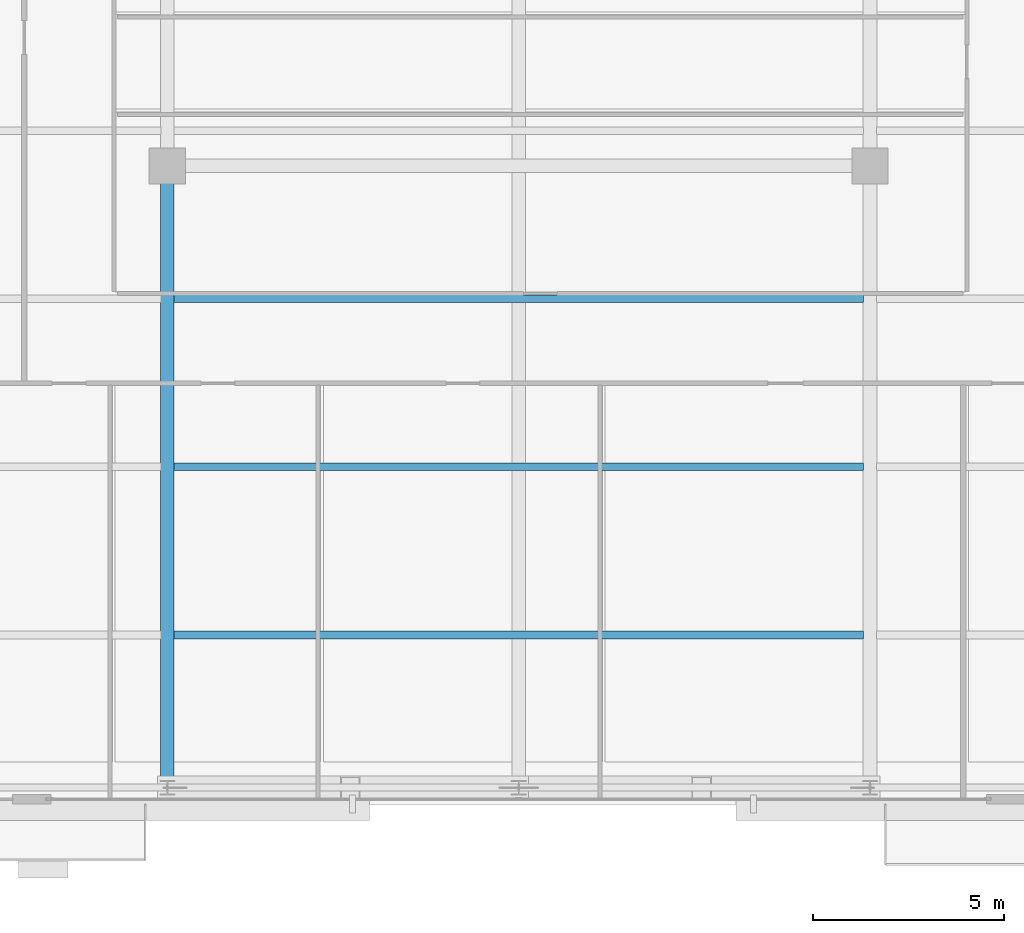
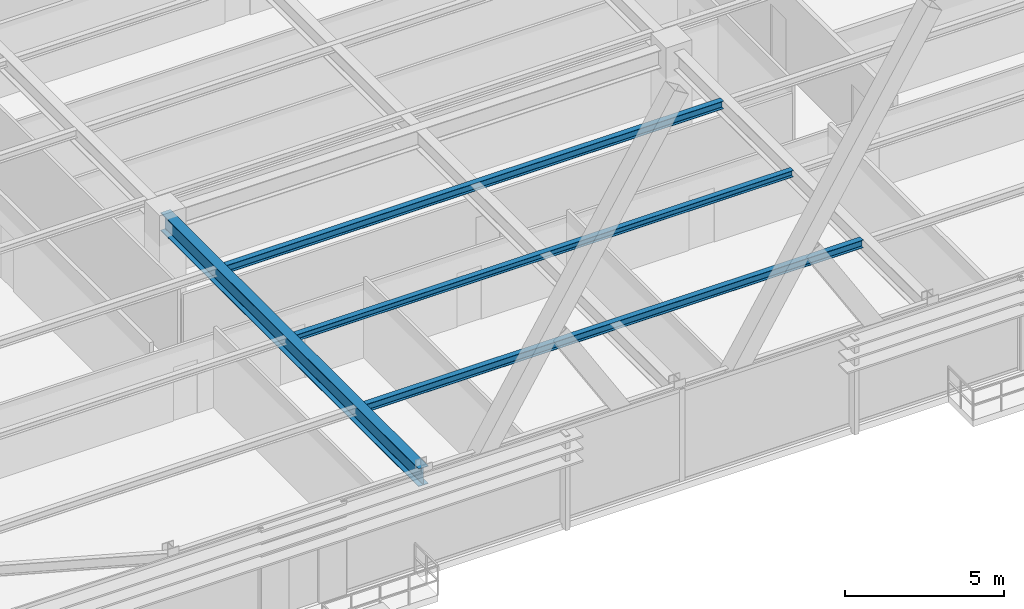
# One storey, part 8 of 37: 4 beams.
"""IFC4 building model written with IfcOpenShell, lengths in metres."""

from ifc_helpers import new_model, si_unit, direction, frame, origin, origin_2d, place, context, subcontext, project, spatial, i_section, extrude, source, transform, mapped, material, material_profile, profile_set, type_object, type_shapes, element, save


model = new_model("IFC4")

# Units and contexts
model_context = context("Model", 3, precision=1e-05, world=origin(), true_north=direction((0.0, 1.0)))
body_context = subcontext(model_context, "Body", "Model", "MODEL_VIEW")
ifc_project = project(units=[si_unit("LENGTHUNIT", "METRE"), si_unit("AREAUNIT", "SQUARE_METRE"), si_unit("VOLUMEUNIT", "CUBIC_METRE"), si_unit("PLANEANGLEUNIT", "RADIAN"), si_unit("MASSUNIT", "GRAM", prefix="KILO")], contexts=[model_context])

# Site, building, storey
site_placement = place(None, origin())
site = spatial("IfcSite", under=ifc_project, at=site_placement, CompositionType="ELEMENT")
building_placement = place(site_placement, origin())
building = spatial("IfcBuilding", under=site, at=building_placement, Name="Varnel Quay Broadcast Tower", CompositionType="ELEMENT")
storey_placement = place(building_placement, frame((0.0, 0.0, 103.0)))
storey = spatial("IfcBuildingStorey", under=building, at=storey_placement, Name="L24", CompositionType="ELEMENT", Elevation=103.0)

# Beams
ifc_material = material(Name="Structural Steel CSA G40.21 350W", Category="steel")
ifc_material_profile_1 = material_profile(ifc_material, i_section(OverallWidth=0.35498046875, OverallDepth=0.695068359375, WebThickness=0.015380859375, FlangeThickness=0.02490234375, FilletRadius=0.01806640625, at=origin_2d()), Name="W690X217")
ifc_profile_set_1 = profile_set([ifc_material_profile_1], Name="Structural Steel CSA G40.21 350W")
beam_type_1 = type_object("IfcBeamType", Name="Girder_W690X217", PredefinedType="BEAM", material=ifc_profile_set_1)
shared_shape_1 = source(origin(), body_context, "Body", "SweptSolid", [
    extrude(i_section(OverallWidth=0.35498046875, OverallDepth=0.695068359375, WebThickness=0.015380859375, FlangeThickness=0.02490234375, FilletRadius=0.01806640625, at=origin_2d()), origin(), (0.0, 0.0, 1.0), 16.239990234375),
])
type_shapes(beam_type_1, [shared_shape_1])
beam_1_placement = place(storey_placement, frame((24.800048828125, 4.669921875, 3.202392578125), z_axis=(0.0, 1.0, 0.0), x_axis=(-1.0, 0.0, 0.0)))
element("IfcBeam", 1, at=beam_1_placement, inside=storey, type_object=beam_type_1, Name="L24 Primary Girder TC-S2-IC-01", PredefinedType="BEAM", context=body_context, shape_type="MappedRepresentation", body=[
    mapped(shared_shape_1, transform((0.0, 0.0, 0.0), x_axis=(1.0, 0.0, 0.0), y_axis=(0.0, 1.0, 0.0), z_axis=(0.0, 0.0, 1.0), scale=1.0)),
])
ifc_material_profile_2 = material_profile(ifc_material, i_section(OverallWidth=0.202880859375, OverallDepth=0.302978515625, WebThickness=0.007568359375, FlangeThickness=0.01318359375, FilletRadius=0.011962890625, at=origin_2d()), Name="W310X60")
ifc_profile_set_2 = profile_set([ifc_material_profile_2], Name="Structural Steel CSA G40.21 350W")
beam_type_2 = type_object("IfcBeamType", Name="Beam_W310X60", PredefinedType="JOIST", material=ifc_profile_set_2)
shared_shape_2 = source(origin(), body_context, "Body", "SweptSolid", [
    extrude(i_section(OverallWidth=0.202880859375, OverallDepth=0.302978515625, WebThickness=0.007568359375, FlangeThickness=0.01318359375, FilletRadius=0.011962890625, at=origin_2d()), origin(), (0.0, 0.0, 1.0), 18.05517578125),
])
type_shapes(beam_type_2, [shared_shape_2])
for number, where, z_axis, x_axis, name in (
    (2, (24.972412109375, 8.64990234375, 3.3984375), (1.0, 0.0, 0.0), (0.0, 1.0, 0.0), "L24 Central Floor Joist 1"),
    (3, (24.972412109375, 17.449951171875, 3.3984375), (1.0, 0.0, 0.0), (0.0, 1.0, 0.0), "L24 Central Floor Joist 3"),
):
    element("IfcBeam", number, at=place(storey_placement, frame(where, z_axis=z_axis, x_axis=x_axis)), inside=storey, type_object=beam_type_2, Name=name, PredefinedType="JOIST", context=body_context, shape_type="MappedRepresentation", body=[
        mapped(shared_shape_2, transform((0.0, 0.0, 0.0), x_axis=(1.0, 0.0, 0.0), y_axis=(0.0, 1.0, 0.0), z_axis=(0.0, 0.0, 1.0), scale=1.0)),
    ])
ifc_material_profile_3 = material_profile(ifc_material, i_section(OverallWidth=0.201904296875, OverallDepth=0.2470703125, WebThickness=0.00732421875, FlangeThickness=0.010986328125, FilletRadius=0.010986328125, at=origin_2d()), Name="W250X49")
ifc_profile_set_3 = profile_set([ifc_material_profile_3], Name="Structural Steel CSA G40.21 350W")
beam_type_3 = type_object("IfcBeamType", Name="Beam_W250X49", PredefinedType="JOIST", material=ifc_profile_set_3)
shared_shape_3 = source(origin(), body_context, "Body", "SweptSolid", [
    extrude(i_section(OverallWidth=0.201904296875, OverallDepth=0.2470703125, WebThickness=0.00732421875, FlangeThickness=0.010986328125, FilletRadius=0.010986328125, at=origin_2d()), origin(), (0.0, 0.0, 1.0), 18.05517578125),
])
type_shapes(beam_type_3, [shared_shape_3])
beam_2_placement = place(storey_placement, frame((24.972412109375, 13.050048828125, 3.426513671875), z_axis=(1.0, 0.0, 0.0), x_axis=(0.0, 1.0, 0.0)))
element("IfcBeam", 4, at=beam_2_placement, inside=storey, type_object=beam_type_3, Name="L24 Central Floor Joist 2", PredefinedType="JOIST", context=body_context, shape_type="MappedRepresentation", body=[
    mapped(shared_shape_3, transform((0.0, 0.0, 0.0), x_axis=(1.0, 0.0, 0.0), y_axis=(0.0, 1.0, 0.0), z_axis=(0.0, 0.0, 1.0), scale=1.0)),
])

save(model, "model.ifc")
